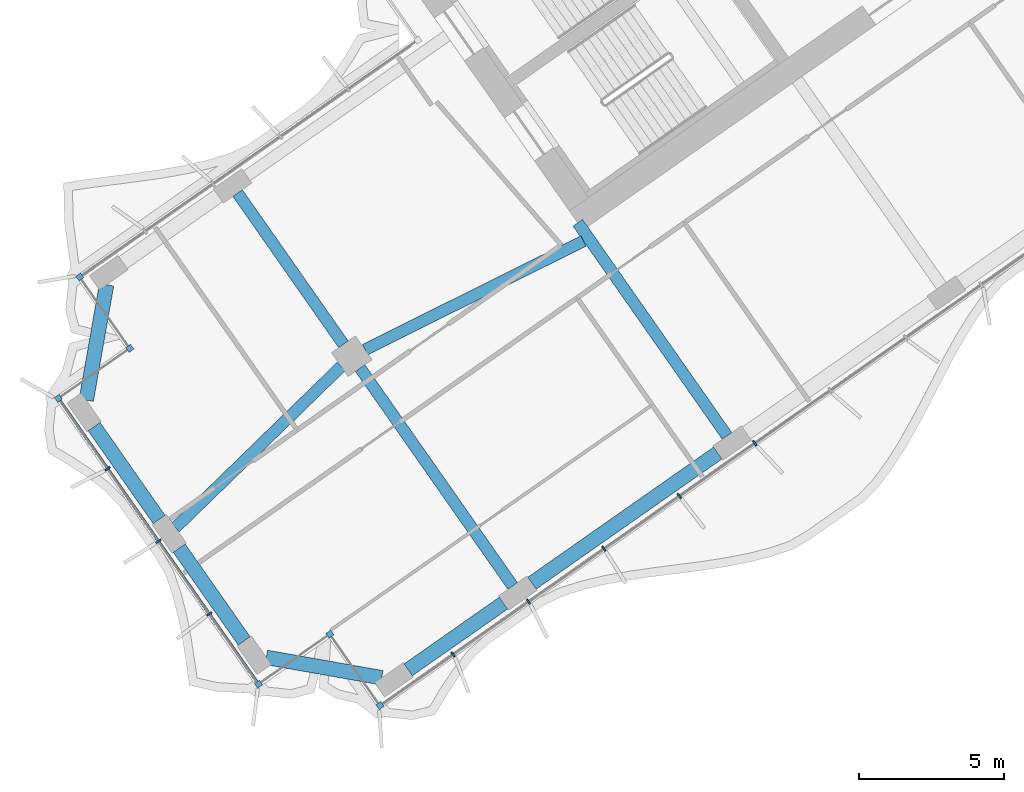
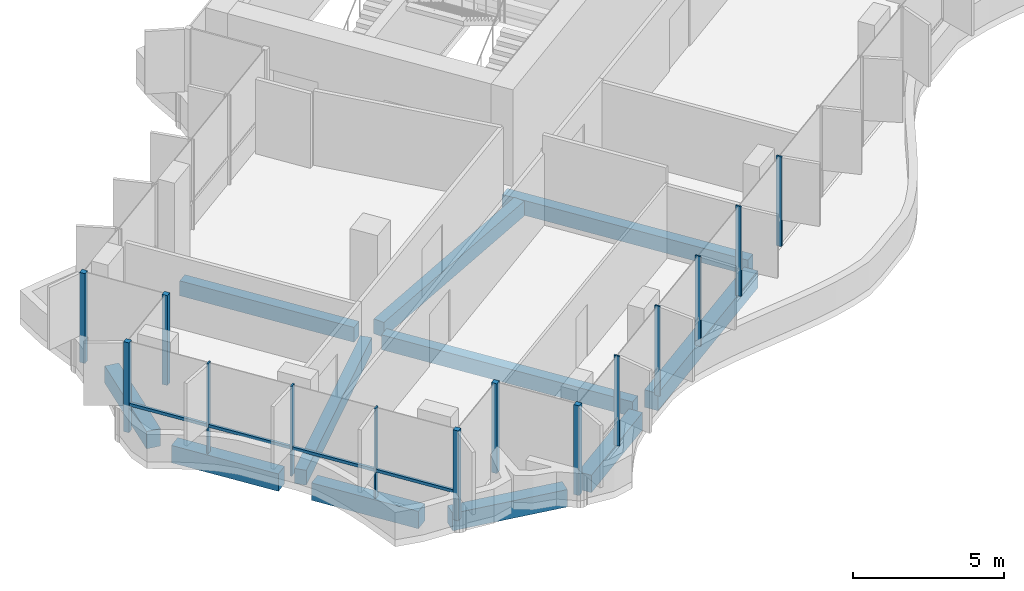
# One storey, part 2 of 21: 15 members, 11 beams, 1 element without a shape of its own.
"""IFC4 building model written with IfcOpenShell, lengths in metres."""

import ifcopenshell
import ifcopenshell.guid

model = None  # the IFC model being written
_history = None  # IfcOwnerHistory: only IFC2X3 demands one
_inside = {}  # id of a spatial element -> (the spatial element, [elements in it])
_under = {}  # id of a project, library or spatial element -> (it, [spatial elements below it])
_declared = {}  # id of a project -> (the project, [libraries it declares])
_typed = {}  # id of a type object -> (the type object, [elements of that type])
_made_of = {}  # id of a material, layer set ... -> (it, [elements and type objects made of it])


def new_model(schema):
    """Start an empty IFC model of exactly this schema.

    Asked for "IFC4X3", IfcOpenShell would pick the latest addendum, in which some entities
    have other attributes; the version numbers below select the first issue.
    IFC2X3 requires an IfcOwnerHistory on every rooted entity: one is made here for all.
    """
    global model, _history
    if schema == "IFC4X3":
        model = ifcopenshell.file(schema_version=(4, 3, 0, 0))
    else:
        model = ifcopenshell.file(schema=schema)
    _inside.clear()
    _under.clear()
    _declared.clear()
    _typed.clear()
    _made_of.clear()
    _history = None
    if model.schema == "IFC2X3":
        org = make("IfcOrganization", Name="unknown")
        user = make(
            "IfcPersonAndOrganization",
            ThePerson=make("IfcPerson", FamilyName="unknown"),
            TheOrganization=org,
        )
        app = make(
            "IfcApplication",
            ApplicationDeveloper=org,
            Version="unknown",
            ApplicationFullName="unknown",
            ApplicationIdentifier="unknown",
        )
        _history = make(
            "IfcOwnerHistory",
            OwningUser=user,
            OwningApplication=app,
            ChangeAction="ADDED",
            CreationDate=0,
        )
    return model


def make(cls, **values):
    """One entity of the class cls with the attributes given. An attribute that is None is left unset."""
    return model.create_entity(
        cls, **{name: value for name, value in values.items() if value is not None}
    )


def rooted(cls, **values):
    """An entity with a GlobalId (a new one), such as an element, a storey or a relation."""
    return make(cls, GlobalId=ifcopenshell.guid.new(), OwnerHistory=_history, **values)


def si_unit(unit_type, name, prefix=None):
    """IfcSIUnit, for example si_unit("LENGTHUNIT", "METRE", prefix="MILLI")."""
    return make("IfcSIUnit", UnitType=unit_type, Prefix=prefix, Name=name)


def assignment(units):
    """IfcUnitAssignment: the units of a project."""
    return None if units is None else make("IfcUnitAssignment", Units=units)


def point(xyz):
    """IfcCartesianPoint."""
    return None if xyz is None else make("IfcCartesianPoint", Coordinates=xyz)


def direction(xyz):
    """IfcDirection."""
    return None if xyz is None else make("IfcDirection", DirectionRatios=xyz)


def frame(location, z_axis=None, x_axis=None):
    """IfcAxis2Placement3D, a coordinate frame: its origin and axes. An axis left out is left unset."""
    return make(
        "IfcAxis2Placement3D",
        Location=point(location),
        Axis=direction(z_axis),
        RefDirection=direction(x_axis),
    )


def frame_2d(location, x_axis=None):
    """IfcAxis2Placement2D, a coordinate frame in the plane: its origin and x axis."""
    return make(
        "IfcAxis2Placement2D", Location=point(location), RefDirection=direction(x_axis)
    )


def origin():
    """The frame at (0, 0, 0) with its axes left unset."""
    return frame((0.0, 0.0, 0.0))


def origin_2d():
    """The frame at (0, 0) in the plane with its x axis left unset."""
    return frame_2d((0.0, 0.0))


def place(relative_to, where):
    """IfcLocalPlacement: puts the frame where relative to a parent placement (None: the world)."""
    return make(
        "IfcLocalPlacement", PlacementRelTo=relative_to, RelativePlacement=where
    )


def context(
    kind, dimensions, precision=None, world=None, true_north=None, identifier=None
):
    """IfcGeometricRepresentationContext, for example the 3D "Model" context."""
    return make(
        "IfcGeometricRepresentationContext",
        ContextIdentifier=identifier,
        ContextType=kind,
        CoordinateSpaceDimension=dimensions,
        Precision=precision,
        WorldCoordinateSystem=world,
        TrueNorth=true_north,
    )


def subcontext(parent, identifier, kind, view, scale=None):
    """IfcGeometricRepresentationSubContext, for example "Body" below "Model"."""
    return make(
        "IfcGeometricRepresentationSubContext",
        ContextIdentifier=identifier,
        ContextType=kind,
        ParentContext=parent,
        TargetScale=scale,
        TargetView=view,
    )


def project(units=None, contexts=None):
    """IfcProject with its units and contexts."""
    return rooted(
        "IfcProject",
        Name="project",
        RepresentationContexts=contexts,
        UnitsInContext=assignment(units),
    )


def spatial(cls, under=None, at=None, **own):
    """A site, building, storey or space (cls), placed at a placement, below another one or the project."""
    s = rooted(cls, ObjectPlacement=at, **own)
    if under is not None:
        _under.setdefault(under.id(), (under, []))[1].append(s)
    return s


def profile(cls, at=None, kind="AREA", **sizes):
    """A parametric profile (cls). Its sizes go by their IFC names, for example OverallWidth=200.0."""
    return make(cls, ProfileType=kind, Position=at, **sizes)


def rectangle(**sizes):
    """IfcRectangleProfileDef."""
    return profile("IfcRectangleProfileDef", **sizes)


def extrude(swept, where, along, depth):
    """IfcExtrudedAreaSolid: the profile swept, set in the frame where, extruded along a direction by depth."""
    return make(
        "IfcExtrudedAreaSolid",
        SweptArea=swept,
        Position=where,
        ExtrudedDirection=direction(along),
        Depth=depth,
    )


def shape(context_of_items, identifier, shape_type, items):
    """IfcShapeRepresentation: the items that make up one representation, for example the "Body"."""
    return make(
        "IfcShapeRepresentation",
        ContextOfItems=context_of_items,
        RepresentationIdentifier=identifier,
        RepresentationType=shape_type,
        Items=items,
    )


def material(Name=None, Category=None):
    """IfcMaterial."""
    return make("IfcMaterial", Name=Name, Category=Category)


def material_profile(
    of_material, cross_section, Name=None, Category=None, Priority=None
):
    """IfcMaterialProfile: a cross section and its material."""
    return make(
        "IfcMaterialProfile",
        Name=Name,
        Material=of_material,
        Profile=cross_section,
        Priority=Priority,
        Category=Category,
    )


def profile_set(profiles, Name=None, composite=None):
    """IfcMaterialProfileSet."""
    return make(
        "IfcMaterialProfileSet",
        Name=Name,
        MaterialProfiles=profiles,
        CompositeProfile=composite,
    )


def made_of(thing, what):
    """Note that an element or type object is made of a material, layer set ...; save() writes the relation."""
    if what is not None:
        _made_of.setdefault(what.id(), (what, []))[1].append(thing)
    return thing


def type_object(cls, material=None, **own):
    """A type object (cls), such as IfcWallType, which elements share."""
    return made_of(rooted(cls, **own), material)


def element(
    cls,
    number,
    at=None,
    inside=None,
    cuts=None,
    type_object=None,
    material=None,
    context=None,
    identifier="Body",
    shape_type=None,
    held_by="IfcProductDefinitionShape",
    body=None,
    shapes=None,
    **own,
):
    """One element of the class cls, such as IfcWall. Its Tag is "e" and its number.

    at: its placement. inside: the storey or other place that contains it. cuts: it is an
    opening in that element (IfcRelVoidsElement). A single representation is given by context,
    identifier, shape_type and body (its items); several are given by shapes. held_by: the class
    of the entity that holds the representations. save() writes the other relations.
    """
    e = rooted(cls, Tag="e%d" % number, ObjectPlacement=at, **own)
    if body is not None:
        shapes = [shape(context, identifier, shape_type, body)]
    if shapes is not None:
        e.Representation = make(held_by, Representations=shapes)
    if inside is not None:
        _inside.setdefault(inside.id(), (inside, []))[1].append(e)
    if cuts is not None:
        rooted(
            "IfcRelVoidsElement", RelatingBuildingElement=cuts, RelatedOpeningElement=e
        )
    if type_object is not None:
        _typed.setdefault(type_object.id(), (type_object, []))[1].append(e)
    return made_of(e, material)


def aggregate(whole, parts):
    """IfcRelAggregates: a whole, such as a stair, and the parts it consists of."""
    return rooted("IfcRelAggregates", RelatingObject=whole, RelatedObjects=parts)


def save(model, path):
    """Write the relations noted so far, then the file.

    IfcRelAggregates (storeys below a building ...), IfcRelContainedInSpatialStructure (elements
    in a storey), IfcRelDefinesByType, IfcRelAssociatesMaterial and IfcRelDeclares: one each for
    every whole, place, type object, material and project.
    """
    for whole, parts in _under.values():
        aggregate(whole, parts)
    for where, things in _inside.values():
        rooted(
            "IfcRelContainedInSpatialStructure",
            RelatedElements=things,
            RelatingStructure=where,
        )
    for kind, things in _typed.values():
        rooted("IfcRelDefinesByType", RelatedObjects=things, RelatingType=kind)
    for what, things in _made_of.values():
        rooted("IfcRelAssociatesMaterial", RelatedObjects=things, RelatingMaterial=what)
    for by, libraries in _declared.values():
        rooted("IfcRelDeclares", RelatingContext=by, RelatedDefinitions=libraries)
    model.write(path)


model = new_model("IFC4")

# Units and contexts
model_context = context("Model", 3, precision=1e-05, world=origin(), true_north=direction((0.0, 1.0)))
body_context = subcontext(model_context, "Body", "Model", "MODEL_VIEW")
ifc_project = project(units=[si_unit("LENGTHUNIT", "METRE"), si_unit("AREAUNIT", "SQUARE_METRE"), si_unit("VOLUMEUNIT", "CUBIC_METRE"), si_unit("PLANEANGLEUNIT", "RADIAN"), si_unit("MASSUNIT", "GRAM", prefix="KILO")], contexts=[model_context])

# Site, building, storey
site_placement = place(None, origin())
site = spatial("IfcSite", under=ifc_project, at=site_placement, CompositionType="ELEMENT")
building_placement = place(site_placement, origin())
building = spatial("IfcBuilding", under=site, at=building_placement, Name="Tel Ilan Convention Tower", CompositionType="ELEMENT")
storey_placement = place(building_placement, frame((0.0, 0.0, 147.60009765625)))
storey = spatial("IfcBuildingStorey", under=building, at=storey_placement, Name="L33", CompositionType="ELEMENT", Elevation=147.60009765625)

# Beams
ifc_material_1 = material(Name="Concrete C40/50", Category="concrete")
ifc_material_profile_1 = material_profile(ifc_material_1, rectangle(XDim=0.39990234375, YDim=0.60009765625, at=origin_2d()), Name="RC 400x600")
ifc_profile_set_1 = profile_set([ifc_material_profile_1], Name="Concrete C40/50")
beam_type_1 = type_object("IfcBeamType", Name="Beam RC 400x600 Concrete C40/50", PredefinedType="BEAM", material=ifc_profile_set_1)
beam_1_placement = place(storey_placement, frame((-16.58203125, -23.391357421875, -0.580078125), z_axis=(-0.573584999642, 0.819146048141, 0.0), x_axis=(-0.819146048141, -0.573584999642, 0.0)))
element("IfcBeam", 1, at=beam_1_placement, inside=storey, type_object=beam_type_1, Name="L33 beam W-W-F3-core", PredefinedType="BEAM", context=body_context, shape_type="SweptSolid", body=[
    extrude(rectangle(XDim=0.39990234375, YDim=0.60009765625, at=origin_2d()), origin(), (0.0, 0.0, 1.0), 8.949951171875),
])
beam_2_placement = place(storey_placement, frame((-21.52099609375, -16.686279296875, -0.580078125), z_axis=(-0.895402365524, -0.445257907076, 0.0), x_axis=(0.445257907076, -0.895402365524, 0.0)))
element("IfcBeam", 2, at=beam_2_placement, inside=storey, type_object=beam_type_1, Name="L33 beam W-core-W-M4", PredefinedType="BEAM", context=body_context, shape_type="SweptSolid", body=[
    extrude(rectangle(XDim=0.39990234375, YDim=0.60009765625, at=origin_2d()), origin(), (0.0, 0.0, 1.0), 8.3935546875),
])
beam_3_placement = place(storey_placement, frame((-29.8525390625, -21.001708984375, -0.580078125), z_axis=(-0.716983836762, -0.697089791793, 0.0), x_axis=(0.697089791793, -0.716983836762, 0.0)))
element("IfcBeam", 3, at=beam_3_placement, inside=storey, type_object=beam_type_1, Name="L33 beam W-W-M4-end", PredefinedType="BEAM", context=body_context, shape_type="SweptSolid", body=[
    extrude(rectangle(XDim=0.39990234375, YDim=0.60009765625, at=origin_2d()), origin(), (0.0, 0.0, 1.0), 7.952392578125),
])
beam_4_placement = place(storey_placement, frame((-29.20263671875, -21.058349609375, -0.580078125), z_axis=(0.573557249804, -0.819165478519, 0.0), x_axis=(0.819165478519, 0.573557249804, 0.0)))
element("IfcBeam", 4, at=beam_4_placement, inside=storey, type_object=beam_type_1, Name="L33 beam W-W-M4-W-F4", PredefinedType="BEAM", context=body_context, shape_type="SweptSolid", body=[
    extrude(rectangle(XDim=0.39990234375, YDim=0.60009765625, at=origin_2d()), origin(), (0.0, 0.0, 1.0), 9.14990234375),
])
beam_5_placement = place(storey_placement, frame((-29.7763671875, -20.2392578125, -0.580078125), z_axis=(-0.573560394383, 0.819163276762, 0.0), x_axis=(-0.819163276762, -0.573560394383, 0.0)))
element("IfcBeam", 5, at=beam_5_placement, inside=storey, type_object=beam_type_1, Name="L33 beam W-W-M4-W-B4", PredefinedType="BEAM", context=body_context, shape_type="SweptSolid", body=[
    extrude(rectangle(XDim=0.39990234375, YDim=0.60009765625, at=origin_2d()), origin(), (0.0, 0.0, 1.0), 6.349853515625),
])
ifc_material_2 = material(Name="Concrete C40/50", Category="concrete")
ifc_material_profile_2 = material_profile(ifc_material_2, rectangle(XDim=0.5, YDim=0.699951171875, at=origin_2d()), Name="RC 500x700")
ifc_profile_set_2 = profile_set([ifc_material_profile_2], Name="Concrete C40/50")
beam_type_2 = type_object("IfcBeamType", Name="Beam RC 500x700 Concrete C40/50", PredefinedType="BEAM", material=ifc_profile_set_2)
beam_6_placement = place(storey_placement, frame((-16.901611328125, -23.981201171875, -0.630126953125), z_axis=(-0.819153977895, -0.573573674866, 0.0), x_axis=(0.573573674866, -0.819153977895, 0.0)))
element("IfcBeam", 6, at=beam_6_placement, inside=storey, type_object=beam_type_2, Name="L33 beam W-W-F3-W-F4", PredefinedType="BEAM", context=body_context, shape_type="SweptSolid", body=[
    extrude(rectangle(XDim=0.5, YDim=0.699951171875, at=origin_2d()), origin(), (0.0, 0.0, 1.0), 7.800048828125),
])
beam_7_placement = place(storey_placement, frame((-24.27392578125, -29.1435546875, -0.630126953125), z_axis=(-0.819165963305, -0.573556557423, 0.0), x_axis=(0.573556557423, -0.819165963305, 0.0)))
element("IfcBeam", 7, at=beam_7_placement, inside=storey, type_object=beam_type_2, Name="L33 beam W-W-F4-W-FC", PredefinedType="BEAM", context=body_context, shape_type="SweptSolid", body=[
    extrude(rectangle(XDim=0.5, YDim=0.699951171875, at=origin_2d()), origin(), (0.0, 0.0, 1.0), 4.0),
])
beam_8_placement = place(storey_placement, frame((-28.459716796875, -31.708251953125, -0.630126953125), z_axis=(-0.984806721117, 0.173654029734, 0.0), x_axis=(-0.173654029734, -0.984806721117, 0.0)))
element("IfcBeam", 8, at=beam_8_placement, inside=storey, type_object=beam_type_2, Name="L33 beam W-W-FC-W-E1", PredefinedType="BEAM", context=body_context, shape_type="SweptSolid", body=[
    extrude(rectangle(XDim=0.5, YDim=0.699951171875, at=origin_2d()), origin(), (0.0, 0.0, 1.0), 4.03076171875),
])
for number, where, z_axis, x_axis, name in (
    (9, (-33.19091796875, -30.443115234375, -0.630126953125), (-0.573609383536, 0.819128973434, 0.0), (-0.819128973434, -0.573609383536, 0.0), "L33 beam W-W-E1-W-E2"),
    (10, (-36.1162109375, -26.265380859375, -0.630126953125), (-0.573609383536, 0.819128973434, 0.0), (-0.819128973434, -0.573609383536, 0.0), "L33 beam W-W-E2-W-E3"),
):
    element("IfcBeam", number, at=place(storey_placement, frame(where, z_axis=z_axis, x_axis=x_axis)), inside=storey, type_object=beam_type_2, Name=name, PredefinedType="BEAM", context=body_context, shape_type="SweptSolid", body=[
        extrude(rectangle(XDim=0.5, YDim=0.699951171875, at=origin_2d()), origin(), (0.0, 0.0, 1.0), 3.89990234375),
    ])
beam_9_placement = place(storey_placement, frame((-38.623779296875, -22.16162109375, -0.630126953125), z_axis=(0.173654029734, 0.984806721117, 0.0), x_axis=(-0.984806721117, 0.173654029734, 0.0)))
element("IfcBeam", 11, at=beam_9_placement, inside=storey, type_object=beam_type_2, Name="L33 beam W-W-E3-W-BC", PredefinedType="BEAM", context=body_context, shape_type="SweptSolid", body=[
    extrude(rectangle(XDim=0.5, YDim=0.699951171875, at=origin_2d()), origin(), (0.0, 0.0, 1.0), 4.03076171875),
])

# Curtain wall, members
ifc_material_3 = material(Name="Aluminium, bronze anodised", Category="aluminium")
curtain_wall_type = type_object("IfcCurtainWallType", Name="CW4 STICK CURTAIN WALL, OFFICE TINTED GLASS", PredefinedType="NOTDEFINED", material=ifc_material_3)
curtain_wall_placement = place(storey_placement, origin())
curtain_wall = element("IfcCurtainWall", 12, at=curtain_wall_placement, inside=storey, type_object=curtain_wall_type, Name="Curtain wall CW4-27.02", PredefinedType="NOTDEFINED")
ifc_material_4 = material(Name="Aluminium, bronze anodised", Category="aluminium")
ifc_material_profile_3 = material_profile(ifc_material_4, rectangle(XDim=0.199951171875, YDim=0.199951171875, at=origin_2d()), Name="CW CORNER MULLION 200x200")
ifc_profile_set_3 = profile_set([ifc_material_profile_3], Name="Aluminium, bronze anodised")
member_type_1 = type_object("IfcMemberType", Name="CW CORNER MULLION 200x200", PredefinedType="MULLION", material=ifc_profile_set_3)
member_1_placement = place(storey_placement, frame((-38.845458984375, -17.922119140625, 0.0), z_axis=(0.0, 0.0, 1.0), x_axis=(-0.819152044289, -0.573576436351, 0.0)))
member_1 = element("IfcMember", 13, at=member_1_placement, type_object=member_type_1, Name="Corner mullion", PredefinedType="MULLION", context=body_context, shape_type="SweptSolid", body=[
    extrude(rectangle(XDim=0.199951171875, YDim=0.199951171875, at=origin_2d()), origin(), (0.0, 0.0, 1.0), 3.619873046875),
])
member_2_placement = place(storey_placement, frame((-37.124755859375, -20.37939453125, 0.0), z_axis=(0.0, 0.0, 1.0), x_axis=(0.573576436351, -0.819152044289, 0.0)))
member_2 = element("IfcMember", 14, at=member_2_placement, type_object=member_type_1, Name="Corner mullion", PredefinedType="MULLION", context=body_context, shape_type="SweptSolid", body=[
    extrude(rectangle(XDim=0.199951171875, YDim=0.199951171875, at=origin_2d()), origin(), (0.0, 0.0, 1.0), 3.619873046875),
])
member_3_placement = place(storey_placement, frame((-39.582275390625, -22.10009765625, 0.0), z_axis=(0.0, 0.0, 1.0), x_axis=(-0.819152044289, -0.573576436351, 0.0)))
member_3 = element("IfcMember", 15, at=member_3_placement, type_object=member_type_1, Name="Corner mullion", PredefinedType="MULLION", context=body_context, shape_type="SweptSolid", body=[
    extrude(rectangle(XDim=0.199951171875, YDim=0.199951171875, at=origin_2d()), origin(), (0.0, 0.0, 1.0), 3.619873046875),
])
member_4_placement = place(storey_placement, frame((-32.69921875, -31.929931640625, 0.0), z_axis=(0.0, 0.0, 1.0), x_axis=(0.573576436351, -0.819152044289, 0.0)))
member_4 = element("IfcMember", 16, at=member_4_placement, type_object=member_type_1, Name="Corner mullion", PredefinedType="MULLION", context=body_context, shape_type="SweptSolid", body=[
    extrude(rectangle(XDim=0.199951171875, YDim=0.199951171875, at=origin_2d()), origin(), (0.0, 0.0, 1.0), 3.619873046875),
])
member_5_placement = place(storey_placement, frame((-30.241943359375, -30.209228515625, 0.0), z_axis=(0.0, 0.0, 1.0), x_axis=(0.819152044289, 0.573576436351, 0.0)))
member_5 = element("IfcMember", 17, at=member_5_placement, type_object=member_type_1, Name="Corner mullion", PredefinedType="MULLION", context=body_context, shape_type="SweptSolid", body=[
    extrude(rectangle(XDim=0.199951171875, YDim=0.199951171875, at=origin_2d()), origin(), (0.0, 0.0, 1.0), 3.619873046875),
])
member_6_placement = place(storey_placement, frame((-28.52099609375, -32.666748046875, 0.0), z_axis=(0.0, 0.0, 1.0), x_axis=(0.573576436351, -0.819152044289, 0.0)))
member_6 = element("IfcMember", 18, at=member_6_placement, type_object=member_type_1, Name="Corner mullion", PredefinedType="MULLION", context=body_context, shape_type="SweptSolid", body=[
    extrude(rectangle(XDim=0.199951171875, YDim=0.199951171875, at=origin_2d()), origin(), (0.0, 0.0, 1.0), 3.619873046875),
])
ifc_material_5 = material(Name="Aluminium, bronze anodised", Category="aluminium")
ifc_material_profile_4 = material_profile(ifc_material_5, rectangle(XDim=0.06005859375, YDim=0.199951171875, at=origin_2d()), Name="CW MULLION 60x200")
ifc_profile_set_4 = profile_set([ifc_material_profile_4], Name="Aluminium, bronze anodised")
member_type_2 = type_object("IfcMemberType", Name="CW MULLION 60x200", PredefinedType="MULLION", material=ifc_profile_set_4)
member_7_placement = place(storey_placement, frame((-37.89013671875, -24.5166015625, 0.0), z_axis=(0.0, 0.0, 1.0), x_axis=(0.573576436351, -0.819152044289, 0.0)))
member_7 = element("IfcMember", 19, at=member_7_placement, type_object=member_type_2, Name="Mullion", PredefinedType="MULLION", context=body_context, shape_type="SweptSolid", body=[
    extrude(rectangle(XDim=0.06005859375, YDim=0.199951171875, at=origin_2d()), origin(), (0.0, 0.0, 1.0), 3.619873046875),
])
member_8_placement = place(storey_placement, frame((-36.140869140625, -27.01513671875, 0.0), z_axis=(0.0, 0.0, 1.0), x_axis=(0.573576436351, -0.819152044289, 0.0)))
member_8 = element("IfcMember", 20, at=member_8_placement, type_object=member_type_2, Name="Mullion", PredefinedType="MULLION", context=body_context, shape_type="SweptSolid", body=[
    extrude(rectangle(XDim=0.06005859375, YDim=0.199951171875, at=origin_2d()), origin(), (0.0, 0.0, 1.0), 3.619873046875),
])
member_9_placement = place(storey_placement, frame((-34.391357421875, -29.513427734375, 0.0), z_axis=(0.0, 0.0, 1.0), x_axis=(0.573576436351, -0.819152044289, 0.0)))
member_9 = element("IfcMember", 21, at=member_9_placement, type_object=member_type_2, Name="Mullion", PredefinedType="MULLION", context=body_context, shape_type="SweptSolid", body=[
    extrude(rectangle(XDim=0.06005859375, YDim=0.199951171875, at=origin_2d()), origin(), (0.0, 0.0, 1.0), 3.619873046875),
])
member_10_placement = place(storey_placement, frame((-26.008056640625, -30.906982421875, 0.0), z_axis=(0.0, 0.0, 1.0), x_axis=(0.819152044289, 0.573576436351, 0.0)))
member_10 = element("IfcMember", 22, at=member_10_placement, type_object=member_type_2, Name="Mullion", PredefinedType="MULLION", context=body_context, shape_type="SweptSolid", body=[
    extrude(rectangle(XDim=0.06005859375, YDim=0.199951171875, at=origin_2d()), origin(), (0.0, 0.0, 1.0), 3.619873046875),
])
member_11_placement = place(storey_placement, frame((-23.412841796875, -29.08984375, 0.0), z_axis=(0.0, 0.0, 1.0), x_axis=(0.819152044289, 0.573576436351, 0.0)))
member_11 = element("IfcMember", 23, at=member_11_placement, type_object=member_type_2, Name="Mullion", PredefinedType="MULLION", context=body_context, shape_type="SweptSolid", body=[
    extrude(rectangle(XDim=0.06005859375, YDim=0.199951171875, at=origin_2d()), origin(), (0.0, 0.0, 1.0), 3.619873046875),
])
member_12_placement = place(storey_placement, frame((-20.81787109375, -27.27294921875, 0.0), z_axis=(0.0, 0.0, 1.0), x_axis=(0.819152044289, 0.573576436351, 0.0)))
member_12 = element("IfcMember", 24, at=member_12_placement, type_object=member_type_2, Name="Mullion", PredefinedType="MULLION", context=body_context, shape_type="SweptSolid", body=[
    extrude(rectangle(XDim=0.06005859375, YDim=0.199951171875, at=origin_2d()), origin(), (0.0, 0.0, 1.0), 3.619873046875),
])
member_13_placement = place(storey_placement, frame((-18.222900390625, -25.455810546875, 0.0), z_axis=(0.0, 0.0, 1.0), x_axis=(0.819152044289, 0.573576436351, 0.0)))
member_13 = element("IfcMember", 25, at=member_13_placement, type_object=member_type_2, Name="Mullion", PredefinedType="MULLION", context=body_context, shape_type="SweptSolid", body=[
    extrude(rectangle(XDim=0.06005859375, YDim=0.199951171875, at=origin_2d()), origin(), (0.0, 0.0, 1.0), 3.619873046875),
])
member_14_placement = place(storey_placement, frame((-15.627685546875, -23.638671875, 0.0), z_axis=(0.0, 0.0, 1.0), x_axis=(0.819152044289, 0.573576436351, 0.0)))
member_14 = element("IfcMember", 26, at=member_14_placement, type_object=member_type_2, Name="Mullion", PredefinedType="MULLION", context=body_context, shape_type="SweptSolid", body=[
    extrude(rectangle(XDim=0.06005859375, YDim=0.199951171875, at=origin_2d()), origin(), (0.0, 0.0, 1.0), 3.619873046875),
])
ifc_material_6 = material(Name="Aluminium, bronze anodised", Category="aluminium")
ifc_material_profile_5 = material_profile(ifc_material_6, rectangle(XDim=0.10009765625, YDim=0.1201171875, at=origin_2d()), Name="CW TRANSOM 100x120")
ifc_profile_set_5 = profile_set([ifc_material_profile_5], Name="Aluminium, bronze anodised")
member_type_3 = type_object("IfcMemberType", Name="CW TRANSOM 100x120", PredefinedType="USERDEFINED", material=ifc_profile_set_5)
member_15_placement = place(storey_placement, frame((-39.52490234375, -22.18212890625, 1.099853515625), z_axis=(0.573581755582, -0.819148319698, 0.0), x_axis=(0.819148319698, 0.573581755582, 0.0)))
member_15 = element("IfcMember", 27, at=member_15_placement, type_object=member_type_3, Name="Transom", ObjectType="TRANSOM", PredefinedType="USERDEFINED", context=body_context, shape_type="SweptSolid", body=[
    extrude(rectangle(XDim=0.10009765625, YDim=0.1201171875, at=origin_2d()), origin(), (0.0, 0.0, 1.0), 11.800048828125),
])
aggregate(curtain_wall, [member_1, member_2, member_3, member_7, member_8, member_9, member_4, member_15, member_5, member_6, member_10, member_11, member_12, member_13, member_14])

save(model, "model.ifc")
